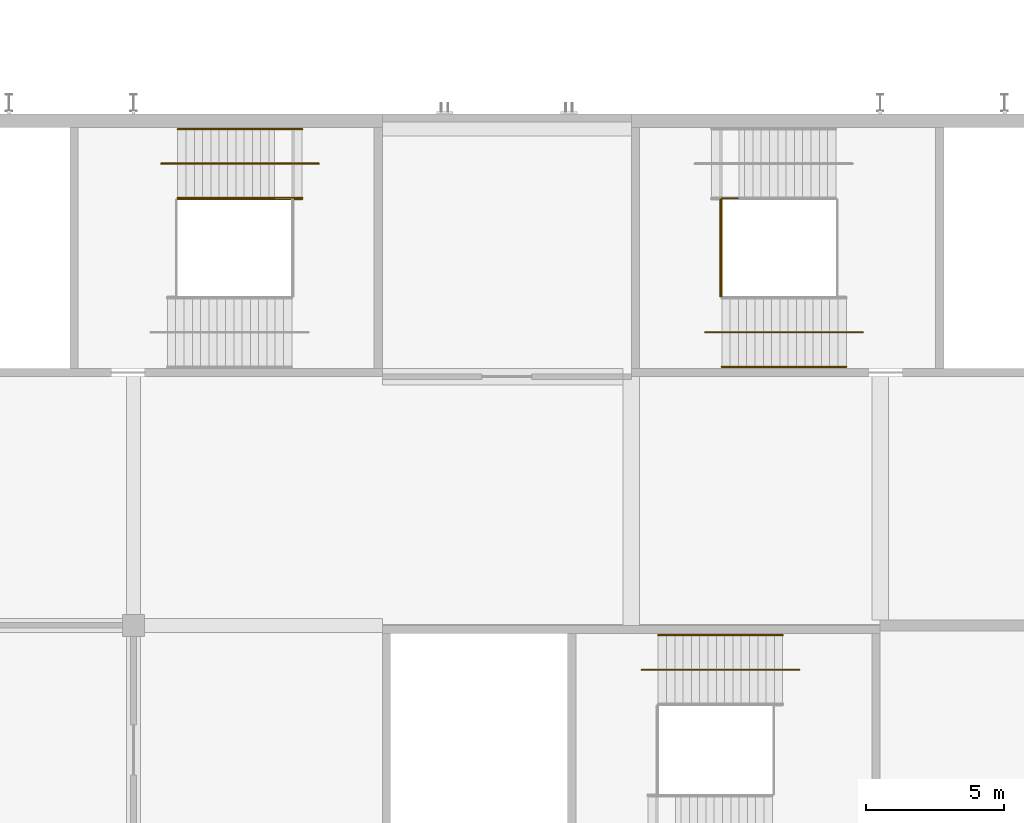
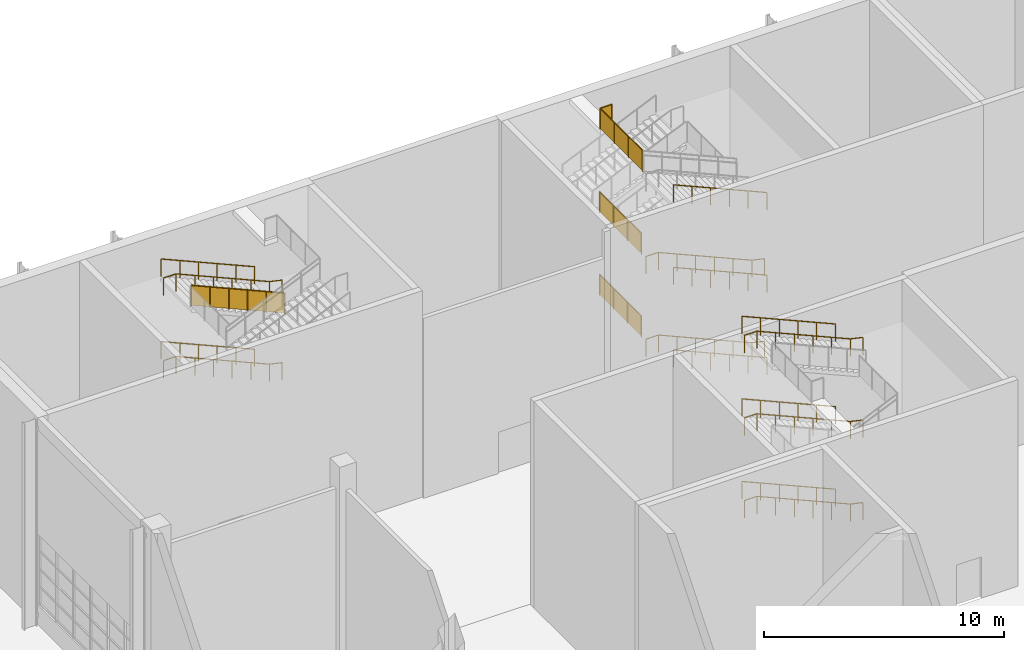
# One storey, part 170 of 182: 20 railings.
"""IFC4 building model written with IfcOpenShell, lengths in metres."""

from ifc_helpers import new_model, si_unit, direction, frame, origin, origin_2d, place, context, subcontext, project, spatial, polyline, circle, outline, extrude, material, type_object, element, save


model = new_model("IFC4")

# Units and contexts
model_context = context("Model", 3, precision=1e-05, world=origin(), true_north=direction((0.0, 1.0)))
body_context = subcontext(model_context, "Body", "Model", "MODEL_VIEW")
ifc_project = project(units=[si_unit("LENGTHUNIT", "METRE"), si_unit("AREAUNIT", "SQUARE_METRE"), si_unit("VOLUMEUNIT", "CUBIC_METRE"), si_unit("PLANEANGLEUNIT", "RADIAN"), si_unit("MASSUNIT", "GRAM", prefix="KILO")], contexts=[model_context])

# Site, building, storey
site_placement = place(None, origin())
site = spatial("IfcSite", under=ifc_project, at=site_placement, CompositionType="ELEMENT")
building_placement = place(site_placement, origin())
building = spatial("IfcBuilding", under=site, at=building_placement, Name="Silverbay Arena", CompositionType="ELEMENT")
storey_placement = place(building_placement, frame((0.0, 0.0, 11.5)))
storey = spatial("IfcBuildingStorey", under=building, at=storey_placement, Name="L02", CompositionType="ELEMENT", Elevation=11.5)

# Railings
ifc_material_1 = material(Name="Stainless steel", Category="steel")
railing_type_1 = type_object("IfcRailingType", Name="Stair guard 1100", PredefinedType="GUARDRAIL", material=ifc_material_1)
for number, where, name in (
    (1, (84.22412109375, 137.89990234375, 2.10009765625), "Stair ST-N1 L02 to L03 landing 1 guard"),
    (2, (84.22412109375, 137.89990234375, 6.300048828125), "Stair ST-N1 L02 to L03 landing 3 guard"),
):
    element("IfcRailing", number, at=place(storey_placement, frame(where)), inside=storey, type_object=railing_type_1, Name=name, PredefinedType="GUARDRAIL", context=body_context, shape_type="SweptSolid", body=[
        extrude(circle(Radius=0.02392578125, at=origin_2d()), frame((0.0, 0.0, 1.076171875), z_axis=(0.0, 1.0, 0.0), x_axis=(-1.0, 0.0, 0.0)), (0.0, 0.0, 1.0), 3.5),
        extrude(outline(polyline([(-0.008056640625, 0.050048828125), (1.174560546875, 0.050048828125), (1.174560546875, 1.052978515625), (-0.008056640625, 1.052978515625), (-0.008056640625, 0.050048828125)])), frame((-0.0029296875, 0.0, 0.0), z_axis=(1.0, 0.0, 0.0), x_axis=(0.0, 1.0, 0.0)), (0.0, 0.0, 1.0), 0.006103515625),
        extrude(outline(polyline([(-0.008056640625, 0.050048828125), (1.174560546875, 0.050048828125), (1.174560546875, 1.052978515625), (-0.008056640625, 1.052978515625), (-0.008056640625, 0.050048828125)])), frame((-0.0029296875, 1.166748046875, 0.0), z_axis=(1.0, 0.0, 0.0), x_axis=(0.0, 1.0, 0.0)), (0.0, 0.0, 1.0), 0.006103515625),
        extrude(outline(polyline([(-0.008056640625, 0.050048828125), (1.174560546875, 0.050048828125), (1.174560546875, 1.052978515625), (-0.008056640625, 1.052978515625), (-0.008056640625, 0.050048828125)])), frame((-0.0029296875, 2.333251953125, 0.0), z_axis=(1.0, 0.0, 0.0), x_axis=(0.0, 1.0, 0.0)), (0.0, 0.0, 1.0), 0.006103515625),
        extrude(circle(Radius=0.02099609375, at=origin_2d()), origin(), (0.0, 0.0, 1.0), 1.052001953125),
        extrude(circle(Radius=0.02099609375, at=origin_2d()), frame((0.0, 1.166748046875, 0.0)), (0.0, 0.0, 1.0), 1.052001953125),
        extrude(circle(Radius=0.02099609375, at=origin_2d()), frame((0.0, 2.333251953125, 0.0)), (0.0, 0.0, 1.0), 1.052001953125),
        extrude(circle(Radius=0.02099609375, at=origin_2d()), frame((0.0, 3.5, 0.0)), (0.0, 0.0, 1.0), 1.052001953125),
    ])
railing_1_placement = place(storey_placement, frame((84.85009765625, 141.449951171875, 10.5)))
element("IfcRailing", 3, at=railing_1_placement, inside=storey, type_object=railing_type_1, Name="Stair ST-N1 L02 to L03 landing 5 guard", PredefinedType="GUARDRAIL", context=body_context, shape_type="SweptSolid", body=[
    extrude(circle(Radius=0.02392578125, at=origin_2d()), frame((0.0, 0.0, 1.076171875), z_axis=(-1.0, 0.0, 0.0), x_axis=(0.0, -1.0, 0.0)), (0.0, 0.0, 1.0), 0.575927734375),
    extrude(outline(polyline([(-0.008056640625, 0.050048828125), (0.583984375, 0.050048828125), (0.583984375, 1.052978515625), (-0.008056640625, 1.052978515625), (-0.008056640625, 0.050048828125)])), frame((0.0, -0.0029296875, 0.0), z_axis=(0.0, 1.0, 0.0), x_axis=(-1.0, 0.0, 0.0)), (0.0, 0.0, 1.0), 0.006103515625),
    extrude(circle(Radius=0.02392578125, at=origin_2d()), frame((-0.575927734375, 0.0, 1.076171875), z_axis=(0.0, -1.0, 0.0), x_axis=(1.0, 0.0, 0.0)), (0.0, 0.0, 1.0), 3.550048828125),
    extrude(outline(polyline([(-0.008056640625, 0.050048828125), (1.19140625, 0.050048828125), (1.19140625, 1.052978515625), (-0.008056640625, 1.052978515625), (-0.008056640625, 0.050048828125)])), frame((-0.572998046875, 0.0, 0.0), z_axis=(-1.0, 0.0, 0.0), x_axis=(0.0, -1.0, 0.0)), (0.0, 0.0, 1.0), 0.006103515625),
    extrude(outline(polyline([(-0.008056640625, 0.050048828125), (1.19140625, 0.050048828125), (1.19140625, 1.052978515625), (-0.008056640625, 1.052978515625), (-0.008056640625, 0.050048828125)])), frame((-0.572998046875, -1.183349609375, 0.0), z_axis=(-1.0, 0.0, 0.0), x_axis=(0.0, -1.0, 0.0)), (0.0, 0.0, 1.0), 0.006103515625),
    extrude(outline(polyline([(-0.008056640625, 0.050048828125), (1.19140625, 0.050048828125), (1.19140625, 1.052978515625), (-0.008056640625, 1.052978515625), (-0.008056640625, 0.050048828125)])), frame((-0.572998046875, -2.36669921875, 0.0), z_axis=(-1.0, 0.0, 0.0), x_axis=(0.0, -1.0, 0.0)), (0.0, 0.0, 1.0), 0.006103515625),
    extrude(circle(Radius=0.02099609375, at=origin_2d()), origin(), (0.0, 0.0, 1.0), 1.052001953125),
    extrude(circle(Radius=0.02099609375, at=origin_2d()), frame((-0.575927734375, 0.0, 0.0)), (0.0, 0.0, 1.0), 1.052001953125),
    extrude(circle(Radius=0.02099609375, at=origin_2d()), frame((-0.575927734375, -1.183349609375, 0.0)), (0.0, 0.0, 1.0), 1.052001953125),
    extrude(circle(Radius=0.02099609375, at=origin_2d()), frame((-0.575927734375, -2.36669921875, 0.0)), (0.0, 0.0, 1.0), 1.052001953125),
    extrude(circle(Radius=0.02099609375, at=origin_2d()), frame((-0.575927734375, -3.550048828125, 0.0)), (0.0, 0.0, 1.0), 1.052001953125),
])
railing_2_placement = place(storey_placement, frame((69.10009765625, 141.425048828125, 6.43115234375)))
element("IfcRailing", 4, at=railing_2_placement, inside=storey, type_object=railing_type_1, Name="Stair ST-N5 L02 to L03 flight 4 guard left", PredefinedType="GUARDRAIL", context=body_context, shape_type="SweptSolid", body=[
    extrude(circle(Radius=0.02392578125, at=origin_2d()), frame((0.0, 0.0, 1.076171875), z_axis=(-0.916157334902, 0.0, 0.40081883402), x_axis=(0.0, -1.0, 0.0)), (0.0, 0.0, 1.0), 4.911865234375),
    extrude(outline(polyline([(-0.008056640625, 0.04638671875), (0.907958984375, 0.447265625), (0.907958984375, 1.4501953125), (-0.008056640625, 1.049560546875), (-0.008056640625, 0.04638671875)])), frame((0.0, -0.0029296875, 0.0), z_axis=(0.0, 1.0, 0.0), x_axis=(-1.0, 0.0, 0.0)), (0.0, 0.0, 1.0), 0.006103515625),
    extrude(outline(polyline([(-0.008056640625, 0.440185546875), (0.907958984375, 0.841064453125), (0.907958984375, 1.843994140625), (-0.008056640625, 1.443359375), (-0.008056640625, 0.440185546875)])), frame((-0.89990234375, -0.0029296875, 0.0), z_axis=(0.0, 1.0, 0.0), x_axis=(-1.0, 0.0, 0.0)), (0.0, 0.0, 1.0), 0.006103515625),
    extrude(outline(polyline([(-0.008056640625, 0.833984375), (0.907958984375, 1.23486328125), (0.907958984375, 2.23779296875), (-0.008056640625, 1.8369140625), (-0.008056640625, 0.833984375)])), frame((-1.800048828125, -0.0029296875, 0.0), z_axis=(0.0, 1.0, 0.0), x_axis=(-1.0, 0.0, 0.0)), (0.0, 0.0, 1.0), 0.006103515625),
    extrude(outline(polyline([(-0.008056640625, 1.227783203125), (0.907958984375, 1.62841796875), (0.907958984375, 2.631591796875), (-0.008056640625, 2.230712890625), (-0.008056640625, 1.227783203125)])), frame((-2.699951171875, -0.0029296875, 0.0), z_axis=(0.0, 1.0, 0.0), x_axis=(-1.0, 0.0, 0.0)), (0.0, 0.0, 1.0), 0.006103515625),
    extrude(outline(polyline([(-0.008056640625, 1.62158203125), (0.907958984375, 2.022216796875), (0.907958984375, 3.025146484375), (-0.008056640625, 2.62451171875), (-0.008056640625, 1.62158203125)])), frame((-3.60009765625, -0.0029296875, 0.0), z_axis=(0.0, 1.0, 0.0), x_axis=(-1.0, 0.0, 0.0)), (0.0, 0.0, 1.0), 0.006103515625),
    extrude(circle(Radius=0.02099609375, at=origin_2d()), origin(), (0.0, 0.0, 1.0), 1.052001953125),
    extrude(circle(Radius=0.02099609375, at=origin_2d()), frame((-0.89990234375, 0.0, 0.393798828125)), (0.0, 0.0, 1.0), 1.052001953125),
    extrude(circle(Radius=0.02099609375, at=origin_2d()), frame((-1.800048828125, 0.0, 0.78759765625)), (0.0, 0.0, 1.0), 1.052001953125),
    extrude(circle(Radius=0.02099609375, at=origin_2d()), frame((-2.699951171875, 0.0, 1.18115234375)), (0.0, 0.0, 1.0), 1.052001953125),
    extrude(circle(Radius=0.02099609375, at=origin_2d()), frame((-3.60009765625, 0.0, 1.574951171875)), (0.0, 0.0, 1.0), 1.052001953125),
    extrude(circle(Radius=0.02099609375, at=origin_2d()), frame((-4.5, 0.0, 1.96875)), (0.0, 0.0, 1.0), 1.052001953125),
])
ifc_material_2 = material(Name="Stainless steel", Category="steel")
railing_type_2 = type_object("IfcRailingType", Name="Stair handrail 900", PredefinedType="HANDRAIL", material=ifc_material_2)
railing_3_placement = place(storey_placement, frame((88.774169921875, 135.35009765625, 0.13134765625)))
element("IfcRailing", 5, at=railing_3_placement, inside=storey, type_object=railing_type_2, Name="Stair ST-N1 L02 to L03 flight 1 handrail left", PredefinedType="HANDRAIL", context=body_context, shape_type="SweptSolid", body=[
    extrude(circle(Radius=0.02392578125, at=origin_2d()), frame((0.0, 0.0, 0.8759765625), z_axis=(-0.916157334902, 0.0, 0.40081883402), x_axis=(0.0, -1.0, 0.0)), (0.0, 0.0, 1.0), 4.911865234375),
    extrude(circle(Radius=0.02099609375, at=origin_2d()), origin(), (0.0, 0.0, 1.0), 0.851806640625),
    extrude(circle(Radius=0.02099609375, at=origin_2d()), frame((-0.89990234375, 0.0, 0.393798828125)), (0.0, 0.0, 1.0), 0.851806640625),
    extrude(circle(Radius=0.02099609375, at=origin_2d()), frame((-1.800048828125, 0.0, 0.78759765625)), (0.0, 0.0, 1.0), 0.851806640625),
    extrude(circle(Radius=0.02099609375, at=origin_2d()), frame((-2.699951171875, 0.0, 1.18115234375)), (0.0, 0.0, 1.0), 0.851806640625),
    extrude(circle(Radius=0.02099609375, at=origin_2d()), frame((-3.60009765625, 0.0, 1.574951171875)), (0.0, 0.0, 1.0), 0.851806640625),
    extrude(circle(Radius=0.02099609375, at=origin_2d()), frame((-4.5, 0.0, 1.96875)), (0.0, 0.0, 1.0), 0.851806640625),
])
railing_4_placement = place(storey_placement, frame((89.374267578125, 136.60009765625, 0.0)))
element("IfcRailing", 6, at=railing_4_placement, inside=storey, type_object=railing_type_2, Name="Stair ST-N1 L02 to L03 flight 1 central handrail", PredefinedType="HANDRAIL", context=body_context, shape_type="SweptSolid", body=[
    extrude(circle(Radius=0.02392578125, at=origin_2d()), frame((0.0, 0.0, 0.8759765625), z_axis=(-0.976874083041, 0.0, 0.213815401414), x_axis=(0.0, -1.0, 0.0)), (0.0, 0.0, 1.0), 0.6142578125),
    extrude(circle(Radius=0.02392578125, at=origin_2d()), frame((-0.60009765625, 0.0, 1.00732421875), z_axis=(-0.916157334902, 0.0, 0.40081883402), x_axis=(0.0, -1.0, 0.0)), (0.0, 0.0, 1.0), 4.911865234375),
    extrude(circle(Radius=0.02392578125, at=origin_2d()), frame((-5.10009765625, 0.0, 2.97607421875), z_axis=(-1.0, 0.0, 0.0), x_axis=(0.0, -1.0, 0.0)), (0.0, 0.0, 1.0), 0.599853515625),
    extrude(circle(Radius=0.02099609375, at=origin_2d()), origin(), (0.0, 0.0, 1.0), 0.851806640625),
    extrude(circle(Radius=0.02099609375, at=origin_2d()), frame((-0.60009765625, 0.0, 0.13134765625)), (0.0, 0.0, 1.0), 0.851806640625),
    extrude(circle(Radius=0.02099609375, at=origin_2d()), frame((-1.5, 0.0, 0.525146484375)), (0.0, 0.0, 1.0), 0.851806640625),
    extrude(circle(Radius=0.02099609375, at=origin_2d()), frame((-2.400146484375, 0.0, 0.9189453125)), (0.0, 0.0, 1.0), 0.851806640625),
    extrude(circle(Radius=0.02099609375, at=origin_2d()), frame((-3.300048828125, 0.0, 1.3125)), (0.0, 0.0, 1.0), 0.851806640625),
    extrude(circle(Radius=0.02099609375, at=origin_2d()), frame((-4.2001953125, 0.0, 1.706298828125)), (0.0, 0.0, 1.0), 0.851806640625),
    extrude(circle(Radius=0.02099609375, at=origin_2d()), frame((-5.10009765625, 0.0, 2.10009765625)), (0.0, 0.0, 1.0), 0.851806640625),
    extrude(circle(Radius=0.02099609375, at=origin_2d()), frame((-5.699951171875, 0.0, 2.10009765625)), (0.0, 0.0, 1.0), 0.851806640625),
])
railing_5_placement = place(storey_placement, frame((88.774169921875, 135.35009765625, 4.331298828125)))
element("IfcRailing", 7, at=railing_5_placement, inside=storey, type_object=railing_type_2, Name="Stair ST-N1 L02 to L03 flight 3 handrail left", PredefinedType="HANDRAIL", context=body_context, shape_type="SweptSolid", body=[
    extrude(circle(Radius=0.02392578125, at=origin_2d()), frame((0.0, 0.0, 0.8759765625), z_axis=(-0.916157334902, 0.0, 0.40081883402), x_axis=(0.0, -1.0, 0.0)), (0.0, 0.0, 1.0), 4.911865234375),
    extrude(circle(Radius=0.02099609375, at=origin_2d()), origin(), (0.0, 0.0, 1.0), 0.851806640625),
    extrude(circle(Radius=0.02099609375, at=origin_2d()), frame((-0.89990234375, 0.0, 0.393798828125)), (0.0, 0.0, 1.0), 0.851806640625),
    extrude(circle(Radius=0.02099609375, at=origin_2d()), frame((-1.800048828125, 0.0, 0.78759765625)), (0.0, 0.0, 1.0), 0.851806640625),
    extrude(circle(Radius=0.02099609375, at=origin_2d()), frame((-2.699951171875, 0.0, 1.18115234375)), (0.0, 0.0, 1.0), 0.851806640625),
    extrude(circle(Radius=0.02099609375, at=origin_2d()), frame((-3.60009765625, 0.0, 1.574951171875)), (0.0, 0.0, 1.0), 0.851806640625),
    extrude(circle(Radius=0.02099609375, at=origin_2d()), frame((-4.5, 0.0, 1.96875)), (0.0, 0.0, 1.0), 0.851806640625),
])
railing_6_placement = place(storey_placement, frame((89.374267578125, 136.60009765625, 4.199951171875)))
element("IfcRailing", 8, at=railing_6_placement, inside=storey, type_object=railing_type_2, Name="Stair ST-N1 L02 to L03 flight 3 central handrail", PredefinedType="HANDRAIL", context=body_context, shape_type="SweptSolid", body=[
    extrude(circle(Radius=0.02392578125, at=origin_2d()), frame((0.0, 0.0, 0.8759765625), z_axis=(-0.976874083041, 0.0, 0.213815401414), x_axis=(0.0, -1.0, 0.0)), (0.0, 0.0, 1.0), 0.6142578125),
    extrude(circle(Radius=0.02392578125, at=origin_2d()), frame((-0.60009765625, 0.0, 1.00732421875), z_axis=(-0.916157334902, 0.0, 0.40081883402), x_axis=(0.0, -1.0, 0.0)), (0.0, 0.0, 1.0), 4.911865234375),
    extrude(circle(Radius=0.02392578125, at=origin_2d()), frame((-5.10009765625, 0.0, 2.97607421875), z_axis=(-1.0, 0.0, 0.0), x_axis=(0.0, -1.0, 0.0)), (0.0, 0.0, 1.0), 0.599853515625),
    extrude(circle(Radius=0.02099609375, at=origin_2d()), origin(), (0.0, 0.0, 1.0), 0.851806640625),
    extrude(circle(Radius=0.02099609375, at=origin_2d()), frame((-0.60009765625, 0.0, 0.13134765625)), (0.0, 0.0, 1.0), 0.851806640625),
    extrude(circle(Radius=0.02099609375, at=origin_2d()), frame((-1.5, 0.0, 0.525146484375)), (0.0, 0.0, 1.0), 0.851806640625),
    extrude(circle(Radius=0.02099609375, at=origin_2d()), frame((-2.400146484375, 0.0, 0.9189453125)), (0.0, 0.0, 1.0), 0.851806640625),
    extrude(circle(Radius=0.02099609375, at=origin_2d()), frame((-3.300048828125, 0.0, 1.3125)), (0.0, 0.0, 1.0), 0.851806640625),
    extrude(circle(Radius=0.02099609375, at=origin_2d()), frame((-4.2001953125, 0.0, 1.706298828125)), (0.0, 0.0, 1.0), 0.851806640625),
    extrude(circle(Radius=0.02099609375, at=origin_2d()), frame((-5.10009765625, 0.0, 2.10009765625)), (0.0, 0.0, 1.0), 0.851806640625),
    extrude(circle(Radius=0.02099609375, at=origin_2d()), frame((-5.699951171875, 0.0, 2.10009765625)), (0.0, 0.0, 1.0), 0.851806640625),
])
for number, where, name in (
    (9, (88.774169921875, 135.35009765625, 8.53125), "Stair ST-N1 L02 to L03 flight 5 handrail left"),
    (10, (69.10009765625, 143.949951171875, 2.231201171875), "Stair ST-N5 L02 to L03 flight 2 handrail right"),
):
    element("IfcRailing", number, at=place(storey_placement, frame(where)), inside=storey, type_object=railing_type_2, Name=name, PredefinedType="HANDRAIL", context=body_context, shape_type="SweptSolid", body=[
        extrude(circle(Radius=0.02392578125, at=origin_2d()), frame((0.0, 0.0, 0.8759765625), z_axis=(-0.916157334902, 0.0, 0.40081883402), x_axis=(0.0, -1.0, 0.0)), (0.0, 0.0, 1.0), 4.911865234375),
        extrude(circle(Radius=0.02099609375, at=origin_2d()), origin(), (0.0, 0.0, 1.0), 0.851806640625),
        extrude(circle(Radius=0.02099609375, at=origin_2d()), frame((-0.89990234375, 0.0, 0.393798828125)), (0.0, 0.0, 1.0), 0.851806640625),
        extrude(circle(Radius=0.02099609375, at=origin_2d()), frame((-1.800048828125, 0.0, 0.78759765625)), (0.0, 0.0, 1.0), 0.851806640625),
        extrude(circle(Radius=0.02099609375, at=origin_2d()), frame((-2.699951171875, 0.0, 1.18115234375)), (0.0, 0.0, 1.0), 0.851806640625),
        extrude(circle(Radius=0.02099609375, at=origin_2d()), frame((-3.60009765625, 0.0, 1.574951171875)), (0.0, 0.0, 1.0), 0.851806640625),
        extrude(circle(Radius=0.02099609375, at=origin_2d()), frame((-4.5, 0.0, 1.96875)), (0.0, 0.0, 1.0), 0.851806640625),
    ])
railing_7_placement = place(storey_placement, frame((69.699951171875, 142.699951171875, 2.10009765625)))
element("IfcRailing", 11, at=railing_7_placement, inside=storey, type_object=railing_type_2, Name="Stair ST-N5 L02 to L03 flight 2 central handrail", PredefinedType="HANDRAIL", context=body_context, shape_type="SweptSolid", body=[
    extrude(circle(Radius=0.02392578125, at=origin_2d()), frame((0.0, 0.0, 0.8759765625), z_axis=(-0.976938910361, 0.0, 0.213519004829), x_axis=(0.0, -1.0, 0.0)), (0.0, 0.0, 1.0), 0.614013671875),
    extrude(circle(Radius=0.02392578125, at=origin_2d()), frame((-0.599853515625, 0.0, 1.0068359375), z_axis=(-0.916157334902, 0.0, 0.40081883402), x_axis=(0.0, -1.0, 0.0)), (0.0, 0.0, 1.0), 4.911865234375),
    extrude(circle(Radius=0.02392578125, at=origin_2d()), frame((-5.099853515625, 0.0, 2.9755859375), z_axis=(-1.0, 0.0, 0.0), x_axis=(0.0, -1.0, 0.0)), (0.0, 0.0, 1.0), 0.60009765625),
    extrude(circle(Radius=0.02099609375, at=origin_2d()), origin(), (0.0, 0.0, 1.0), 0.851806640625),
    extrude(circle(Radius=0.02099609375, at=origin_2d()), frame((-0.599853515625, 0.0, 0.131103515625)), (0.0, 0.0, 1.0), 0.851806640625),
    extrude(circle(Radius=0.02099609375, at=origin_2d()), frame((-1.499755859375, 0.0, 0.52490234375)), (0.0, 0.0, 1.0), 0.851806640625),
    extrude(circle(Radius=0.02099609375, at=origin_2d()), frame((-2.39990234375, 0.0, 0.918701171875)), (0.0, 0.0, 1.0), 0.851806640625),
    extrude(circle(Radius=0.02099609375, at=origin_2d()), frame((-3.2998046875, 0.0, 1.312255859375)), (0.0, 0.0, 1.0), 0.851806640625),
    extrude(circle(Radius=0.02099609375, at=origin_2d()), frame((-4.199951171875, 0.0, 1.7060546875)), (0.0, 0.0, 1.0), 0.851806640625),
    extrude(circle(Radius=0.02099609375, at=origin_2d()), frame((-5.099853515625, 0.0, 2.099853515625)), (0.0, 0.0, 1.0), 0.851806640625),
    extrude(circle(Radius=0.02099609375, at=origin_2d()), frame((-5.699951171875, 0.0, 2.099853515625)), (0.0, 0.0, 1.0), 0.851806640625),
])
for number, where, name in (
    (12, (69.10009765625, 141.464111328125, 6.43115234375), "Stair ST-N5 L02 to L03 flight 4 handrail left"),
    (13, (69.10009765625, 143.949951171875, 6.43115234375), "Stair ST-N5 L02 to L03 flight 4 handrail right"),
):
    element("IfcRailing", number, at=place(storey_placement, frame(where)), inside=storey, type_object=railing_type_2, Name=name, PredefinedType="HANDRAIL", context=body_context, shape_type="SweptSolid", body=[
        extrude(circle(Radius=0.02392578125, at=origin_2d()), frame((0.0, 0.0, 0.8759765625), z_axis=(-0.916157334902, 0.0, 0.40081883402), x_axis=(0.0, -1.0, 0.0)), (0.0, 0.0, 1.0), 4.911865234375),
        extrude(circle(Radius=0.02099609375, at=origin_2d()), origin(), (0.0, 0.0, 1.0), 0.851806640625),
        extrude(circle(Radius=0.02099609375, at=origin_2d()), frame((-0.89990234375, 0.0, 0.393798828125)), (0.0, 0.0, 1.0), 0.851806640625),
        extrude(circle(Radius=0.02099609375, at=origin_2d()), frame((-1.800048828125, 0.0, 0.78759765625)), (0.0, 0.0, 1.0), 0.851806640625),
        extrude(circle(Radius=0.02099609375, at=origin_2d()), frame((-2.699951171875, 0.0, 1.18115234375)), (0.0, 0.0, 1.0), 0.851806640625),
        extrude(circle(Radius=0.02099609375, at=origin_2d()), frame((-3.60009765625, 0.0, 1.574951171875)), (0.0, 0.0, 1.0), 0.851806640625),
        extrude(circle(Radius=0.02099609375, at=origin_2d()), frame((-4.5, 0.0, 1.96875)), (0.0, 0.0, 1.0), 0.851806640625),
    ])
railing_8_placement = place(storey_placement, frame((69.699951171875, 142.699951171875, 6.300048828125)))
element("IfcRailing", 14, at=railing_8_placement, inside=storey, type_object=railing_type_2, Name="Stair ST-N5 L02 to L03 flight 4 central handrail", PredefinedType="HANDRAIL", context=body_context, shape_type="SweptSolid", body=[
    extrude(circle(Radius=0.02392578125, at=origin_2d()), frame((0.0, 0.0, 0.8759765625), z_axis=(-0.976938910361, 0.0, 0.213519004829), x_axis=(0.0, -1.0, 0.0)), (0.0, 0.0, 1.0), 0.614013671875),
    extrude(circle(Radius=0.02392578125, at=origin_2d()), frame((-0.599853515625, 0.0, 1.0068359375), z_axis=(-0.916157334902, 0.0, 0.40081883402), x_axis=(0.0, -1.0, 0.0)), (0.0, 0.0, 1.0), 4.911865234375),
    extrude(circle(Radius=0.02392578125, at=origin_2d()), frame((-5.099853515625, 0.0, 2.9755859375), z_axis=(-1.0, 0.0, 0.0), x_axis=(0.0, -1.0, 0.0)), (0.0, 0.0, 1.0), 0.60009765625),
    extrude(circle(Radius=0.02099609375, at=origin_2d()), origin(), (0.0, 0.0, 1.0), 0.851806640625),
    extrude(circle(Radius=0.02099609375, at=origin_2d()), frame((-0.599853515625, 0.0, 0.131103515625)), (0.0, 0.0, 1.0), 0.851806640625),
    extrude(circle(Radius=0.02099609375, at=origin_2d()), frame((-1.499755859375, 0.0, 0.52490234375)), (0.0, 0.0, 1.0), 0.851806640625),
    extrude(circle(Radius=0.02099609375, at=origin_2d()), frame((-2.39990234375, 0.0, 0.918701171875)), (0.0, 0.0, 1.0), 0.851806640625),
    extrude(circle(Radius=0.02099609375, at=origin_2d()), frame((-3.2998046875, 0.0, 1.312255859375)), (0.0, 0.0, 1.0), 0.851806640625),
    extrude(circle(Radius=0.02099609375, at=origin_2d()), frame((-4.199951171875, 0.0, 1.7060546875)), (0.0, 0.0, 1.0), 0.851806640625),
    extrude(circle(Radius=0.02099609375, at=origin_2d()), frame((-5.099853515625, 0.0, 2.099853515625)), (0.0, 0.0, 1.0), 0.851806640625),
    extrude(circle(Radius=0.02099609375, at=origin_2d()), frame((-5.699951171875, 0.0, 2.099853515625)), (0.0, 0.0, 1.0), 0.851806640625),
])
railing_9_placement = place(storey_placement, frame((86.47412109375, 125.64990234375, 0.13134765625)))
element("IfcRailing", 15, at=railing_9_placement, inside=storey, type_object=railing_type_2, Name="Stair ST-NW1 L02 to L03 flight 1 handrail right", PredefinedType="HANDRAIL", context=body_context, shape_type="SweptSolid", body=[
    extrude(circle(Radius=0.02392578125, at=origin_2d()), frame((0.0, 0.0, 0.8759765625), z_axis=(-0.916157334902, 0.0, 0.40081883402), x_axis=(0.0, -1.0, 0.0)), (0.0, 0.0, 1.0), 4.911865234375),
    extrude(circle(Radius=0.02099609375, at=origin_2d()), origin(), (0.0, 0.0, 1.0), 0.851806640625),
    extrude(circle(Radius=0.02099609375, at=origin_2d()), frame((-0.89990234375, 0.0, 0.393798828125)), (0.0, 0.0, 1.0), 0.851806640625),
    extrude(circle(Radius=0.02099609375, at=origin_2d()), frame((-1.800048828125, 0.0, 0.78759765625)), (0.0, 0.0, 1.0), 0.851806640625),
    extrude(circle(Radius=0.02099609375, at=origin_2d()), frame((-2.699951171875, 0.0, 1.18115234375)), (0.0, 0.0, 1.0), 0.851806640625),
    extrude(circle(Radius=0.02099609375, at=origin_2d()), frame((-3.60009765625, 0.0, 1.574951171875)), (0.0, 0.0, 1.0), 0.851806640625),
    extrude(circle(Radius=0.02099609375, at=origin_2d()), frame((-4.5, 0.0, 1.96875)), (0.0, 0.0, 1.0), 0.851806640625),
])
railing_10_placement = place(storey_placement, frame((87.07421875, 124.39990234375, 0.0)))
element("IfcRailing", 16, at=railing_10_placement, inside=storey, type_object=railing_type_2, Name="Stair ST-NW1 L02 to L03 flight 1 central handrail", PredefinedType="HANDRAIL", context=body_context, shape_type="SweptSolid", body=[
    extrude(circle(Radius=0.02392578125, at=origin_2d()), frame((0.0, 0.0, 0.8759765625), z_axis=(-0.976874083041, 0.0, 0.213815401414), x_axis=(0.0, -1.0, 0.0)), (0.0, 0.0, 1.0), 0.6142578125),
    extrude(circle(Radius=0.02392578125, at=origin_2d()), frame((-0.60009765625, 0.0, 1.00732421875), z_axis=(-0.916157334902, 0.0, 0.40081883402), x_axis=(0.0, -1.0, 0.0)), (0.0, 0.0, 1.0), 4.911865234375),
    extrude(circle(Radius=0.02392578125, at=origin_2d()), frame((-5.10009765625, 0.0, 2.97607421875), z_axis=(-1.0, 0.0, 0.0), x_axis=(0.0, -1.0, 0.0)), (0.0, 0.0, 1.0), 0.599853515625),
    extrude(circle(Radius=0.02099609375, at=origin_2d()), origin(), (0.0, 0.0, 1.0), 0.851806640625),
    extrude(circle(Radius=0.02099609375, at=origin_2d()), frame((-0.60009765625, 0.0, 0.13134765625)), (0.0, 0.0, 1.0), 0.851806640625),
    extrude(circle(Radius=0.02099609375, at=origin_2d()), frame((-1.5, 0.0, 0.525146484375)), (0.0, 0.0, 1.0), 0.851806640625),
    extrude(circle(Radius=0.02099609375, at=origin_2d()), frame((-2.400146484375, 0.0, 0.9189453125)), (0.0, 0.0, 1.0), 0.851806640625),
    extrude(circle(Radius=0.02099609375, at=origin_2d()), frame((-3.300048828125, 0.0, 1.3125)), (0.0, 0.0, 1.0), 0.851806640625),
    extrude(circle(Radius=0.02099609375, at=origin_2d()), frame((-4.2001953125, 0.0, 1.706298828125)), (0.0, 0.0, 1.0), 0.851806640625),
    extrude(circle(Radius=0.02099609375, at=origin_2d()), frame((-5.10009765625, 0.0, 2.10009765625)), (0.0, 0.0, 1.0), 0.851806640625),
    extrude(circle(Radius=0.02099609375, at=origin_2d()), frame((-5.699951171875, 0.0, 2.10009765625)), (0.0, 0.0, 1.0), 0.851806640625),
])
railing_11_placement = place(storey_placement, frame((86.47412109375, 125.64990234375, 4.331298828125)))
element("IfcRailing", 17, at=railing_11_placement, inside=storey, type_object=railing_type_2, Name="Stair ST-NW1 L02 to L03 flight 3 handrail right", PredefinedType="HANDRAIL", context=body_context, shape_type="SweptSolid", body=[
    extrude(circle(Radius=0.02392578125, at=origin_2d()), frame((0.0, 0.0, 0.8759765625), z_axis=(-0.916157334902, 0.0, 0.40081883402), x_axis=(0.0, -1.0, 0.0)), (0.0, 0.0, 1.0), 4.911865234375),
    extrude(circle(Radius=0.02099609375, at=origin_2d()), origin(), (0.0, 0.0, 1.0), 0.851806640625),
    extrude(circle(Radius=0.02099609375, at=origin_2d()), frame((-0.89990234375, 0.0, 0.393798828125)), (0.0, 0.0, 1.0), 0.851806640625),
    extrude(circle(Radius=0.02099609375, at=origin_2d()), frame((-1.800048828125, 0.0, 0.78759765625)), (0.0, 0.0, 1.0), 0.851806640625),
    extrude(circle(Radius=0.02099609375, at=origin_2d()), frame((-2.699951171875, 0.0, 1.18115234375)), (0.0, 0.0, 1.0), 0.851806640625),
    extrude(circle(Radius=0.02099609375, at=origin_2d()), frame((-3.60009765625, 0.0, 1.574951171875)), (0.0, 0.0, 1.0), 0.851806640625),
    extrude(circle(Radius=0.02099609375, at=origin_2d()), frame((-4.5, 0.0, 1.96875)), (0.0, 0.0, 1.0), 0.851806640625),
])
railing_12_placement = place(storey_placement, frame((87.07421875, 124.39990234375, 4.199951171875)))
element("IfcRailing", 18, at=railing_12_placement, inside=storey, type_object=railing_type_2, Name="Stair ST-NW1 L02 to L03 flight 3 central handrail", PredefinedType="HANDRAIL", context=body_context, shape_type="SweptSolid", body=[
    extrude(circle(Radius=0.02392578125, at=origin_2d()), frame((0.0, 0.0, 0.8759765625), z_axis=(-0.976874083041, 0.0, 0.213815401414), x_axis=(0.0, -1.0, 0.0)), (0.0, 0.0, 1.0), 0.6142578125),
    extrude(circle(Radius=0.02392578125, at=origin_2d()), frame((-0.60009765625, 0.0, 1.00732421875), z_axis=(-0.916157334902, 0.0, 0.40081883402), x_axis=(0.0, -1.0, 0.0)), (0.0, 0.0, 1.0), 4.911865234375),
    extrude(circle(Radius=0.02392578125, at=origin_2d()), frame((-5.10009765625, 0.0, 2.97607421875), z_axis=(-1.0, 0.0, 0.0), x_axis=(0.0, -1.0, 0.0)), (0.0, 0.0, 1.0), 0.599853515625),
    extrude(circle(Radius=0.02099609375, at=origin_2d()), origin(), (0.0, 0.0, 1.0), 0.851806640625),
    extrude(circle(Radius=0.02099609375, at=origin_2d()), frame((-0.60009765625, 0.0, 0.13134765625)), (0.0, 0.0, 1.0), 0.851806640625),
    extrude(circle(Radius=0.02099609375, at=origin_2d()), frame((-1.5, 0.0, 0.525146484375)), (0.0, 0.0, 1.0), 0.851806640625),
    extrude(circle(Radius=0.02099609375, at=origin_2d()), frame((-2.400146484375, 0.0, 0.9189453125)), (0.0, 0.0, 1.0), 0.851806640625),
    extrude(circle(Radius=0.02099609375, at=origin_2d()), frame((-3.300048828125, 0.0, 1.3125)), (0.0, 0.0, 1.0), 0.851806640625),
    extrude(circle(Radius=0.02099609375, at=origin_2d()), frame((-4.2001953125, 0.0, 1.706298828125)), (0.0, 0.0, 1.0), 0.851806640625),
    extrude(circle(Radius=0.02099609375, at=origin_2d()), frame((-5.10009765625, 0.0, 2.10009765625)), (0.0, 0.0, 1.0), 0.851806640625),
    extrude(circle(Radius=0.02099609375, at=origin_2d()), frame((-5.699951171875, 0.0, 2.10009765625)), (0.0, 0.0, 1.0), 0.851806640625),
])
railing_13_placement = place(storey_placement, frame((86.47412109375, 125.64990234375, 8.53125)))
element("IfcRailing", 19, at=railing_13_placement, inside=storey, type_object=railing_type_2, Name="Stair ST-NW1 L02 to L03 flight 5 handrail right", PredefinedType="HANDRAIL", context=body_context, shape_type="SweptSolid", body=[
    extrude(circle(Radius=0.02392578125, at=origin_2d()), frame((0.0, 0.0, 0.8759765625), z_axis=(-0.916157334902, 0.0, 0.40081883402), x_axis=(0.0, -1.0, 0.0)), (0.0, 0.0, 1.0), 4.911865234375),
    extrude(circle(Radius=0.02099609375, at=origin_2d()), origin(), (0.0, 0.0, 1.0), 0.851806640625),
    extrude(circle(Radius=0.02099609375, at=origin_2d()), frame((-0.89990234375, 0.0, 0.393798828125)), (0.0, 0.0, 1.0), 0.851806640625),
    extrude(circle(Radius=0.02099609375, at=origin_2d()), frame((-1.800048828125, 0.0, 0.78759765625)), (0.0, 0.0, 1.0), 0.851806640625),
    extrude(circle(Radius=0.02099609375, at=origin_2d()), frame((-2.699951171875, 0.0, 1.18115234375)), (0.0, 0.0, 1.0), 0.851806640625),
    extrude(circle(Radius=0.02099609375, at=origin_2d()), frame((-3.60009765625, 0.0, 1.574951171875)), (0.0, 0.0, 1.0), 0.851806640625),
    extrude(circle(Radius=0.02099609375, at=origin_2d()), frame((-4.5, 0.0, 1.96875)), (0.0, 0.0, 1.0), 0.851806640625),
])
railing_14_placement = place(storey_placement, frame((87.07421875, 124.39990234375, 8.39990234375)))
element("IfcRailing", 20, at=railing_14_placement, inside=storey, type_object=railing_type_2, Name="Stair ST-NW1 L02 to L03 flight 5 central handrail", PredefinedType="HANDRAIL", context=body_context, shape_type="SweptSolid", body=[
    extrude(circle(Radius=0.02392578125, at=origin_2d()), frame((0.0, 0.0, 0.8759765625), z_axis=(-0.976874083041, 0.0, 0.213815401414), x_axis=(0.0, -1.0, 0.0)), (0.0, 0.0, 1.0), 0.6142578125),
    extrude(circle(Radius=0.02392578125, at=origin_2d()), frame((-0.60009765625, 0.0, 1.00732421875), z_axis=(-0.916157334902, 0.0, 0.40081883402), x_axis=(0.0, -1.0, 0.0)), (0.0, 0.0, 1.0), 4.911865234375),
    extrude(circle(Radius=0.02392578125, at=origin_2d()), frame((-5.10009765625, 0.0, 2.97607421875), z_axis=(-1.0, 0.0, 0.0), x_axis=(0.0, -1.0, 0.0)), (0.0, 0.0, 1.0), 0.599853515625),
    extrude(circle(Radius=0.02099609375, at=origin_2d()), origin(), (0.0, 0.0, 1.0), 0.851806640625),
    extrude(circle(Radius=0.02099609375, at=origin_2d()), frame((-0.60009765625, 0.0, 0.13134765625)), (0.0, 0.0, 1.0), 0.851806640625),
    extrude(circle(Radius=0.02099609375, at=origin_2d()), frame((-1.5, 0.0, 0.525146484375)), (0.0, 0.0, 1.0), 0.851806640625),
    extrude(circle(Radius=0.02099609375, at=origin_2d()), frame((-2.400146484375, 0.0, 0.9189453125)), (0.0, 0.0, 1.0), 0.851806640625),
    extrude(circle(Radius=0.02099609375, at=origin_2d()), frame((-3.300048828125, 0.0, 1.3125)), (0.0, 0.0, 1.0), 0.851806640625),
    extrude(circle(Radius=0.02099609375, at=origin_2d()), frame((-4.2001953125, 0.0, 1.706298828125)), (0.0, 0.0, 1.0), 0.851806640625),
    extrude(circle(Radius=0.02099609375, at=origin_2d()), frame((-5.10009765625, 0.0, 2.10009765625)), (0.0, 0.0, 1.0), 0.851806640625),
    extrude(circle(Radius=0.02099609375, at=origin_2d()), frame((-5.699951171875, 0.0, 2.10009765625)), (0.0, 0.0, 1.0), 0.851806640625),
])

save(model, "model.ifc")
